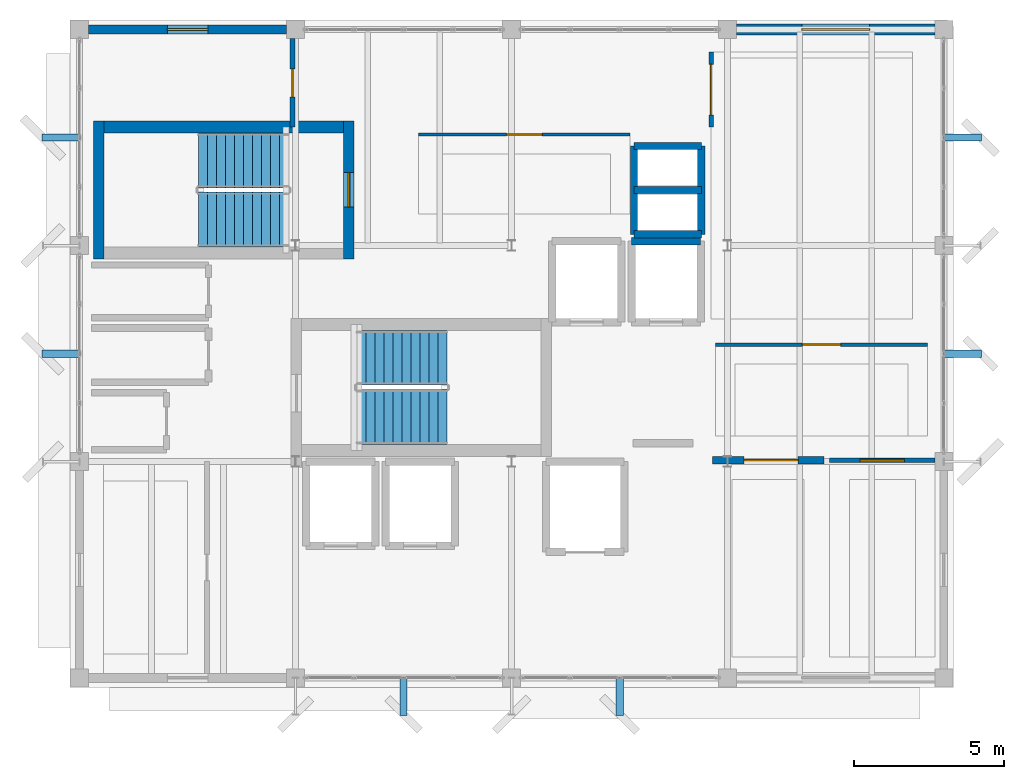
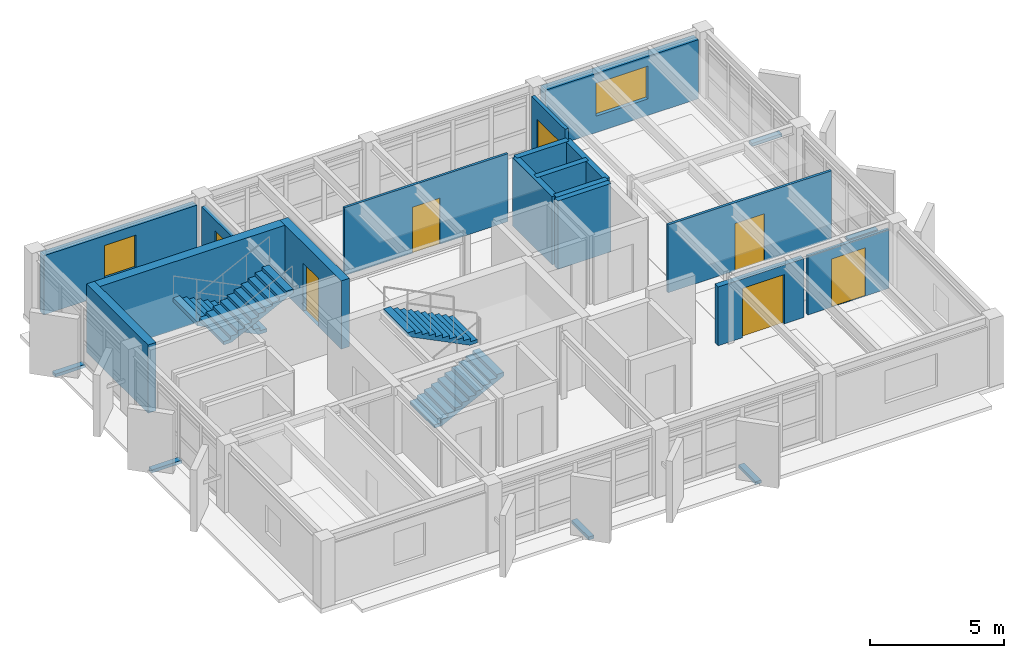
# One storey, part 12 of 15: 17 walls, 7 doors, 6 discrete accessories, 4 stair flights, 2 windows, 9 openings, 2 elements without a shape of their own.
"""IFC4 building model written with IfcOpenShell, lengths in metres."""

from ifc_helpers import new_model, si_unit, direction, frame, frame_2d, origin, origin_2d, place, context, subcontext, project, spatial, polyline, rectangle, outline, extrude, material, layer, layer_set, type_object, element, fill, aggregate, save


model = new_model("IFC4")

# Units and contexts
model_context = context("Model", 3, precision=1e-05, world=origin(), true_north=direction((0.0, 1.0)))
body_context = subcontext(model_context, "Body", "Model", "MODEL_VIEW")
ifc_project = project(units=[si_unit("LENGTHUNIT", "METRE"), si_unit("AREAUNIT", "SQUARE_METRE"), si_unit("VOLUMEUNIT", "CUBIC_METRE"), si_unit("PLANEANGLEUNIT", "RADIAN"), si_unit("MASSUNIT", "GRAM", prefix="KILO")], contexts=[model_context])

# Site, building, storey
site_placement = place(None, origin())
site = spatial("IfcSite", under=ifc_project, at=site_placement, CompositionType="ELEMENT")
building_placement = place(site_placement, origin())
building = spatial("IfcBuilding", under=site, at=building_placement, Name="Kandorven Conservatory and Botanical Research Centre", CompositionType="ELEMENT")
storey_placement = place(building_placement, frame((0.0, 0.0, 56.10009765625)))
storey = spatial("IfcBuildingStorey", under=building, at=storey_placement, Name="L14", CompositionType="ELEMENT", Elevation=56.10009765625)

# Wall
ifc_material_1 = material(Name="Concrete C40/50 (M50)", Category="concrete")
ifc_layer_1 = layer(ifc_material_1, 0.39990234375)
ifc_layer_set_1 = layer_set([ifc_layer_1], Name="Concrete C40/50 (M50)")
wall_type_1 = type_object("IfcWallType", Name="Wall_CW-RC-1", PredefinedType="SHEAR", material=ifc_layer_set_1)
wall_1_placement = place(storey_placement, frame((14.800048828125, 24.35498046875, 0.0), z_axis=(0.0, 0.0, 1.0), x_axis=(-1.0, 0.0, 0.0)))
element("IfcWall", 1, at=wall_1_placement, inside=storey, type_object=wall_type_1, Name="Core stair shear wall CW-RC-1 ST-T2 L14 side A", PredefinedType="SHEAR", context=body_context, shape_type="SweptSolid", body=[
    extrude(rectangle(XDim=7.97998046875, YDim=0.39990234375, at=frame_2d((3.989990234375, 0.0))), origin(), (0.0, 0.0, 1.0), 3.114990234375),
])

# Wall, opening, door
ifc_material_2 = material(Name="Concrete C40/50 (M50)", Category="concrete")
ifc_layer_2 = layer(ifc_material_2, 0.35009765625)
ifc_layer_set_2 = layer_set([ifc_layer_2], Name="Concrete C40/50 (M50)")
wall_type_2 = type_object("IfcWallType", Name="Wall_CW-RC-2", PredefinedType="SHEAR", material=ifc_layer_set_2)
wall_2_placement = place(storey_placement, frame((14.97509765625, 24.550048828125, 0.0), z_axis=(0.0, 0.0, 1.0), x_axis=(0.0, -1.0, 0.0)))
wall_2 = element("IfcWall", 2, at=wall_2_placement, inside=storey, type_object=wall_type_2, Name="Core stair shear wall CW-RC-2 ST-T2 L14 entry", PredefinedType="SHEAR", context=body_context, shape_type="SweptSolid", body=[
    extrude(rectangle(XDim=4.590087890625, YDim=0.35009765625, at=frame_2d((2.294921875, 0.0))), origin(), (0.0, 0.0, 1.0), 3.114990234375),
])
opening_1_placement = place(wall_2_placement, frame((1.719970703125, 0.0, 0.0)))
opening_1 = element("IfcOpeningElement", 3, at=opening_1_placement, cuts=wall_2, Name="Opening FD-2", PredefinedType="OPENING", context=body_context, shape_type="SweptSolid", body=[
    extrude(rectangle(XDim=1.14990234375, YDim=2.199951171875, at=frame_2d((0.574951171875, 1.10009765625))), frame((0.0, 0.18505859375, 0.0), z_axis=(0.0, -1.0, 0.0), x_axis=(1.0, 0.0, 0.0)), (0.0, 0.0, 1.0), 0.3701171875),
])
ifc_material_3 = material(Name="Galvanised hollow steel fire door assembly", Category="steel")
door_type_1 = type_object("IfcDoorType", Name="Door_FD-2", OperationType="NOTDEFINED", PredefinedType="DOOR", material=ifc_material_3)
door_1_placement = place(opening_1_placement, origin())
door_1 = element("IfcDoor", 4, at=door_1_placement, inside=storey, type_object=door_type_1, Name="Exit stair fire door FD-2 ST-T2 L14", OperationType="SINGLE_SWING_LEFT", OverallHeight=2.199951171875, OverallWidth=1.14990234375, PredefinedType="DOOR", context=body_context, shape_type="SweptSolid", body=[
    extrude(rectangle(XDim=1.14990234375, YDim=2.199951171875, at=frame_2d((0.574951171875, 1.10009765625))), frame((0.0, 0.02490234375, 0.0), z_axis=(0.0, -1.0, 0.0), x_axis=(1.0, 0.0, 0.0)), (0.0, 0.0, 1.0), 0.050048828125),
])
fill(opening_1, door_1)

# Walls
wall_3_placement = place(storey_placement, frame((6.64501953125, 24.550048828125, 0.0), z_axis=(0.0, 0.0, 1.0), x_axis=(0.0, -1.0, 0.0)))
element("IfcWall", 5, at=wall_3_placement, inside=storey, type_object=wall_type_2, Name="Core stair shear wall CW-RC-2 ST-T2 L14 far", PredefinedType="SHEAR", context=body_context, shape_type="SweptSolid", body=[
    extrude(rectangle(XDim=4.590087890625, YDim=0.35009765625, at=frame_2d((2.294921875, 0.0))), origin(), (0.0, 0.0, 1.0), 3.114990234375),
])
wall_4_placement = place(storey_placement, frame((24.39990234375, 20.550048828125, 0.0), z_axis=(0.0, 0.0, 1.0), x_axis=(1.0, 0.0, 0.0)))
element("IfcWall", 6, at=wall_4_placement, inside=storey, type_object=wall_type_2, Name="Lift shaft wall FFL-2 L14 N", PredefinedType="SHEAR", context=body_context, shape_type="SweptSolid", body=[
    extrude(rectangle(XDim=2.300048828125, YDim=0.25, at=frame_2d((1.14990234375, 0.0))), origin(), (0.0, 0.0, 1.0), 3.114990234375),
])
for number, where, z_axis, x_axis, name in (
    (7, (24.47998046875, 20.780029296875, 0.0), (0.0, 0.0, 1.0), (1.0, 0.0, 0.0), "Core MEP riser shaft wall CW-RC-2 L14 S"),
    (8, (24.47998046875, 22.25, 0.0), (0.0, 0.0, 1.0), (1.0, 0.0, 0.0), "Core MEP riser shaft wall CW-RC-2 L14 M"),
    (9, (24.47998046875, 23.719970703125, 0.0), (0.0, 0.0, 1.0), (1.0, 0.0, 0.0), "Core MEP riser shaft wall CW-RC-2 L14 N"),
):
    element("IfcWall", number, at=place(storey_placement, frame(where, z_axis=z_axis, x_axis=x_axis)), inside=storey, type_object=wall_type_2, Name=name, PredefinedType="SHEAR", context=body_context, shape_type="SweptSolid", body=[
        extrude(rectangle(XDim=2.239990234375, YDim=0.239990234375, at=frame_2d((1.1201171875, 0.0))), origin(), (0.0, 0.0, 1.0), 3.114990234375),
    ])
for number, where, z_axis, x_axis, name in (
    (10, (24.47998046875, 20.780029296875, 0.0), (0.0, 0.0, 1.0), (0.0, 1.0, 0.0), "Core MEP riser shaft wall CW-RC-2 L14 W"),
    (11, (26.719970703125, 20.780029296875, 0.0), (0.0, 0.0, 1.0), (0.0, 1.0, 0.0), "Core MEP riser shaft wall CW-RC-2 L14 E"),
):
    element("IfcWall", number, at=place(storey_placement, frame(where, z_axis=z_axis, x_axis=x_axis)), inside=storey, type_object=wall_type_2, Name=name, PredefinedType="SHEAR", context=body_context, shape_type="SweptSolid", body=[
        extrude(rectangle(XDim=2.93994140625, YDim=0.239990234375, at=frame_2d((1.469970703125, 0.0))), origin(), (0.0, 0.0, 1.0), 3.114990234375),
    ])

# Wall, opening, window
ifc_material_4 = material(Name="Concrete C40/50 (M50)", Category="concrete")
ifc_layer_3 = layer(ifc_material_4, 0.360107421875)
ifc_layer_set_3 = layer_set([ifc_layer_3], Name="Concrete C40/50 (M50)")
wall_type_3 = type_object("IfcWallType", Name="Wall_EW-01", PredefinedType="STANDARD", material=ifc_layer_set_3)
wall_5_placement = place(storey_placement, frame((27.89990234375, 27.60009765625, 0.0), z_axis=(0.0, 0.0, 1.0), x_axis=(1.0, 0.0, 0.0)))
wall_5 = element("IfcWall", 12, at=wall_5_placement, inside=storey, type_object=wall_type_3, Name="Tower concrete facade wall EW-01 N L14", PredefinedType="STANDARD", context=body_context, shape_type="SweptSolid", body=[
    extrude(rectangle(XDim=6.60009765625, YDim=0.360107421875, at=frame_2d((3.300048828125, 0.0))), origin(), (0.0, 0.0, 1.0), 2.69482421875),
])
opening_2_placement = place(wall_5_placement, frame((2.175048828125, 0.0, 0.75)))
opening_2 = element("IfcOpeningElement", 13, at=opening_2_placement, cuts=wall_5, Name="Opening W-43", PredefinedType="OPENING", context=body_context, shape_type="SweptSolid", body=[
    extrude(rectangle(XDim=2.25, YDim=1.5, at=frame_2d((1.125, 0.75))), frame((0.0, 0.18994140625, 0.0), z_axis=(0.0, -1.0, 0.0), x_axis=(1.0, 0.0, 0.0)), (0.0, 0.0, 1.0), 0.380126953125),
])
ifc_material_5 = material(Name="Double-glazed solar-control low-E glass", Category="glass")
window_type_1 = type_object("IfcWindowType", Name="Win_W-43", PartitioningType="DOUBLE_PANEL_VERTICAL", PredefinedType="WINDOW", material=ifc_material_5)
window_1_placement = place(opening_2_placement, origin())
window_1 = element("IfcWindow", 14, at=window_1_placement, inside=storey, type_object=window_type_1, Name="Tower recessed solar window W-43", OverallHeight=1.5, OverallWidth=2.25, PartitioningType="SINGLE_PANEL", PredefinedType="WINDOW", context=body_context, shape_type="SweptSolid", body=[
    extrude(rectangle(XDim=2.25, YDim=1.5, at=frame_2d((1.125, 0.75))), frame((0.0, 0.030029296875, 0.0), z_axis=(0.0, -1.0, 0.0), x_axis=(1.0, 0.0, 0.0)), (0.0, 0.0, 1.0), 0.06005859375),
])
fill(opening_2, window_1)

ifc_material_6 = material(Name="Concrete C32/40 (M40)", Category="concrete")
ifc_layer_4 = layer(ifc_material_6, 0.300048828125)
ifc_layer_set_4 = layer_set([ifc_layer_4], Name="Concrete C32/40 (M40)")
wall_type_4 = type_object("IfcWallType", Name="Wall_EW-04", PredefinedType="STANDARD", material=ifc_layer_set_4)
wall_6_placement = place(storey_placement, frame((6.300048828125, 27.60009765625, 0.0), z_axis=(0.0, 0.0, 1.0), x_axis=(1.0, 0.0, 0.0)))
wall_6 = element("IfcWall", 15, at=wall_6_placement, inside=storey, type_object=wall_type_4, Name="Tower concrete facade wall EW-04 N L14", PredefinedType="STANDARD", context=body_context, shape_type="SweptSolid", body=[
    extrude(rectangle(XDim=6.599853515625, YDim=0.300048828125, at=frame_2d((3.2998046875, 0.0))), origin(), (0.0, 0.0, 1.0), 2.69482421875),
])
opening_3_placement = place(wall_6_placement, frame((2.625, 0.0, 0.75)))
opening_3 = element("IfcOpeningElement", 16, at=opening_3_placement, cuts=wall_6, Name="Opening W-40", PredefinedType="OPENING", context=body_context, shape_type="SweptSolid", body=[
    extrude(rectangle(XDim=1.35009765625, YDim=1.5, at=frame_2d((0.675048828125, 0.75))), frame((0.0, 0.159912109375, 0.0), z_axis=(0.0, -1.0, 0.0), x_axis=(1.0, 0.0, 0.0)), (0.0, 0.0, 1.0), 0.320068359375),
])
ifc_material_7 = material(Name="Double-glazed solar-control low-E glass", Category="glass")
window_type_2 = type_object("IfcWindowType", Name="Win_W-40", PartitioningType="DOUBLE_PANEL_VERTICAL", PredefinedType="WINDOW", material=ifc_material_7)
window_2_placement = place(opening_3_placement, origin())
window_2 = element("IfcWindow", 17, at=window_2_placement, inside=storey, type_object=window_type_2, Name="Tower recessed solar window W-40", OverallHeight=1.5, OverallWidth=1.35009765625, PartitioningType="SINGLE_PANEL", PredefinedType="WINDOW", context=body_context, shape_type="SweptSolid", body=[
    extrude(rectangle(XDim=1.35009765625, YDim=1.5, at=frame_2d((0.675048828125, 0.75))), frame((0.0, 0.030029296875, 0.0), z_axis=(0.0, -1.0, 0.0), x_axis=(1.0, 0.0, 0.0)), (0.0, 0.0, 1.0), 0.06005859375),
])
fill(opening_3, window_2)

# Wall, opening, door
ifc_material_8 = material(Name="Fire-rated acoustic gypsum board partition", Category="gypsum")
ifc_layer_5 = layer(ifc_material_8, 0.10595703125)
ifc_layer_set_5 = layer_set([ifc_layer_5], Name="Fire-rated acoustic gypsum board partition")
wall_type_5 = type_object("IfcWallType", Name="Wall_IW-11", PredefinedType="PARTITIONING", material=ifc_layer_set_5)
wall_7_placement = place(storey_placement, frame((17.300048828125, 24.10009765625, 0.0), z_axis=(0.0, 0.0, 1.0), x_axis=(1.0, 0.0, 0.0)))
wall_7 = element("IfcWall", 18, at=wall_7_placement, inside=storey, type_object=wall_type_5, Name="Interior partition wall IW-11 (Dryland Flora Research Laboratory L14)", PredefinedType="PARTITIONING", context=body_context, shape_type="SweptSolid", body=[
    extrude(rectangle(XDim=7.050048828125, YDim=0.10595703125, at=frame_2d((3.52490234375, 0.0))), origin(), (0.0, 0.0, 1.0), 3.094970703125),
])
opening_4_placement = place(wall_7_placement, frame((2.93505859375, 0.0, 0.0)))
opening_4 = element("IfcOpeningElement", 19, at=opening_4_placement, cuts=wall_7, Name="Opening D-14", PredefinedType="OPENING", context=body_context, shape_type="SweptSolid", body=[
    extrude(rectangle(XDim=1.179931640625, YDim=2.10009765625, at=frame_2d((0.58984375, 1.050048828125))), frame((0.0, 0.06298828125, 0.0), z_axis=(0.0, -1.0, 0.0), x_axis=(1.0, 0.0, 0.0)), (0.0, 0.0, 1.0), 0.1259765625),
])
ifc_material_9 = material(Name="Solid core acoustic teak-veneered timber leaf", Category="wood")
door_type_2 = type_object("IfcDoorType", Name="Door_D-14", OperationType="NOTDEFINED", PredefinedType="DOOR", material=ifc_material_9)
door_2_placement = place(opening_4_placement, origin())
door_2 = element("IfcDoor", 20, at=door_2_placement, inside=storey, type_object=door_type_2, Name="Interior door D-14 to Dryland Flora Research Laboratory L14", OperationType="SINGLE_SWING_RIGHT", OverallHeight=2.10009765625, OverallWidth=1.179931640625, PredefinedType="DOOR", context=body_context, shape_type="SweptSolid", body=[
    extrude(rectangle(XDim=1.179931640625, YDim=2.10009765625, at=frame_2d((0.58984375, 1.050048828125))), frame((0.0, 0.02490234375, 0.0), z_axis=(0.0, -1.0, 0.0), x_axis=(1.0, 0.0, 0.0)), (0.0, 0.0, 1.0), 0.050048828125),
])
fill(opening_4, door_2)

ifc_material_10 = material(Name="Fire-rated acoustic gypsum board partition", Category="gypsum")
ifc_layer_6 = layer(ifc_material_10, 0.114013671875)
ifc_layer_set_6 = layer_set([ifc_layer_6], Name="Fire-rated acoustic gypsum board partition")
wall_type_6 = type_object("IfcWallType", Name="Wall_IW-12", PredefinedType="PARTITIONING", material=ifc_layer_set_6)
wall_8_placement = place(storey_placement, frame((27.199951171875, 17.10009765625, 0.0), z_axis=(0.0, 0.0, 1.0), x_axis=(1.0, 0.0, 0.0)))
wall_8 = element("IfcWall", 21, at=wall_8_placement, inside=storey, type_object=wall_type_6, Name="Interior partition wall IW-12 (Seed Ecology Research Studio L14)", PredefinedType="PARTITIONING", context=body_context, shape_type="SweptSolid", body=[
    extrude(rectangle(XDim=7.050048828125, YDim=0.114013671875, at=frame_2d((3.52490234375, 0.0))), origin(), (0.0, 0.0, 1.0), 3.094970703125),
])
opening_5_placement = place(wall_8_placement, frame((2.885009765625, 0.0, 0.0)))
opening_5 = element("IfcOpeningElement", 22, at=opening_5_placement, cuts=wall_8, Name="Opening D-15", PredefinedType="OPENING", context=body_context, shape_type="SweptSolid", body=[
    extrude(rectangle(XDim=1.280029296875, YDim=2.14990234375, at=frame_2d((0.64013671875, 1.074951171875))), frame((0.0, 0.06689453125, 0.0), z_axis=(0.0, -1.0, 0.0), x_axis=(1.0, 0.0, 0.0)), (0.0, 0.0, 1.0), 0.134033203125),
])
ifc_material_11 = material(Name="Solid core acoustic teak-veneered timber leaf", Category="wood")
door_type_3 = type_object("IfcDoorType", Name="Door_D-15", OperationType="NOTDEFINED", PredefinedType="DOOR", material=ifc_material_11)
door_3_placement = place(opening_5_placement, frame((1.280029296875, 0.0, 0.0), z_axis=(0.0, 0.0, 1.0), x_axis=(-1.0, 0.0, 0.0)))
door_3 = element("IfcDoor", 23, at=door_3_placement, inside=storey, type_object=door_type_3, Name="Interior door D-15 to Seed Ecology Research Studio L14", OperationType="SINGLE_SWING_LEFT", OverallHeight=2.14990234375, OverallWidth=1.280029296875, PredefinedType="DOOR", context=body_context, shape_type="SweptSolid", body=[
    extrude(rectangle(XDim=1.280029296875, YDim=2.14990234375, at=frame_2d((0.64013671875, 1.074951171875))), frame((0.0, 0.02490234375, 0.0), z_axis=(0.0, -1.0, 0.0), x_axis=(1.0, 0.0, 0.0)), (0.0, 0.0, 1.0), 0.050048828125),
])
fill(opening_5, door_3)

ifc_material_12 = material(Name="Fire-rated acoustic gypsum board partition", Category="gypsum")
ifc_layer_7 = layer(ifc_material_12, 0.135986328125)
ifc_layer_set_7 = layer_set([ifc_layer_7], Name="Fire-rated acoustic gypsum board partition")
wall_type_7 = type_object("IfcWallType", Name="Wall_IW-14", PredefinedType="PARTITIONING", material=ifc_layer_set_7)
wall_9_placement = place(storey_placement, frame((31.0, 13.25, 0.0), z_axis=(0.0, 0.0, 1.0), x_axis=(1.0, 0.0, 0.0)))
wall_9 = element("IfcWall", 24, at=wall_9_placement, inside=storey, type_object=wall_type_7, Name="Interior partition wall IW-14 (Arid Zone Ecology Research Laboratory L14)", PredefinedType="PARTITIONING", context=body_context, shape_type="SweptSolid", body=[
    extrude(rectangle(XDim=3.5, YDim=0.135986328125, at=frame_2d((1.75, 0.0))), origin(), (0.0, 0.0, 1.0), 2.677978515625),
])
opening_6_placement = place(wall_9_placement, frame((1.010009765625, 0.0, 0.0)))
opening_6 = element("IfcOpeningElement", 25, at=opening_6_placement, cuts=wall_9, Name="Opening D-17", PredefinedType="OPENING", context=body_context, shape_type="SweptSolid", body=[
    extrude(rectangle(XDim=1.47998046875, YDim=2.199951171875, at=frame_2d((0.739990234375, 1.10009765625))), frame((0.0, 0.077880859375, 0.0), z_axis=(0.0, -1.0, 0.0), x_axis=(1.0, 0.0, 0.0)), (0.0, 0.0, 1.0), 0.156005859375),
])
ifc_material_13 = material(Name="Solid core acoustic teak-veneered timber leaf", Category="wood")
door_type_4 = type_object("IfcDoorType", Name="Door_D-17", OperationType="NOTDEFINED", PredefinedType="DOOR", material=ifc_material_13)
door_4_placement = place(opening_6_placement, origin())
door_4 = element("IfcDoor", 26, at=door_4_placement, inside=storey, type_object=door_type_4, Name="Interior door D-17 to Arid Zone Ecology Research Laboratory L14", OperationType="SINGLE_SWING_LEFT", OverallHeight=2.199951171875, OverallWidth=1.47998046875, PredefinedType="DOOR", context=body_context, shape_type="SweptSolid", body=[
    extrude(rectangle(XDim=1.47998046875, YDim=2.199951171875, at=frame_2d((0.739990234375, 1.10009765625))), frame((0.0, 0.02490234375, 0.0), z_axis=(0.0, -1.0, 0.0), x_axis=(1.0, 0.0, 0.0)), (0.0, 0.0, 1.0), 0.050048828125),
])
fill(opening_6, door_4)

ifc_material_14 = material(Name="Fire-rated acoustic gypsum board partition", Category="gypsum")
ifc_layer_8 = layer(ifc_material_14, 0.14599609375)
ifc_layer_set_8 = layer_set([ifc_layer_8], Name="Fire-rated acoustic gypsum board partition")
wall_type_8 = type_object("IfcWallType", Name="Wall_IW-15", PredefinedType="PARTITIONING", material=ifc_layer_set_8)
wall_10_placement = place(storey_placement, frame((27.050048828125, 24.35009765625, 0.0), z_axis=(0.0, 0.0, 1.0), x_axis=(0.0, 1.0, 0.0)))
wall_10 = element("IfcWall", 27, at=wall_10_placement, inside=storey, type_object=wall_type_8, Name="Interior partition wall IW-15 (Botanical GIS and Remote Sensing Laboratory L14)", PredefinedType="PARTITIONING", context=body_context, shape_type="SweptSolid", body=[
    extrude(rectangle(XDim=2.5, YDim=0.14599609375, at=frame_2d((1.25, 0.0))), origin(), (0.0, 0.0, 1.0), 3.094970703125),
])
opening_7_placement = place(wall_10_placement, frame((0.409912109375, 0.0, 0.0)))
opening_7 = element("IfcOpeningElement", 28, at=opening_7_placement, cuts=wall_10, Name="Opening D-18", PredefinedType="OPENING", context=body_context, shape_type="SweptSolid", body=[
    extrude(rectangle(XDim=1.679931640625, YDim=2.300048828125, at=frame_2d((0.83984375, 1.14990234375))), frame((0.0, 0.0830078125, 0.0), z_axis=(0.0, -1.0, 0.0), x_axis=(1.0, 0.0, 0.0)), (0.0, 0.0, 1.0), 0.166015625),
])
ifc_material_15 = material(Name="Solid core acoustic teak-veneered timber leaf", Category="wood")
door_type_5 = type_object("IfcDoorType", Name="Door_D-18", OperationType="NOTDEFINED", PredefinedType="DOOR", material=ifc_material_15)
door_5_placement = place(opening_7_placement, frame((1.679931640625, 0.0, 0.0), z_axis=(0.0, 0.0, 1.0), x_axis=(-1.0, 0.0, 0.0)))
door_5 = element("IfcDoor", 29, at=door_5_placement, inside=storey, type_object=door_type_5, Name="Interior door D-18 to Botanical GIS and Remote Sensing Laboratory L14", OperationType="DOUBLE_DOOR_SINGLE_SWING", OverallHeight=2.300048828125, OverallWidth=1.679931640625, PredefinedType="DOOR", context=body_context, shape_type="SweptSolid", body=[
    extrude(rectangle(XDim=1.679931640625, YDim=2.300048828125, at=frame_2d((0.83984375, 1.14990234375))), frame((0.0, 0.02490234375, 0.0), z_axis=(0.0, -1.0, 0.0), x_axis=(1.0, 0.0, 0.0)), (0.0, 0.0, 1.0), 0.050048828125),
])
fill(opening_7, door_5)

ifc_material_16 = material(Name="Autoclaved aerated concrete blockwork masonry", Category="masonry")
ifc_layer_9 = layer(ifc_material_16, 0.172119140625)
ifc_layer_set_9 = layer_set([ifc_layer_9], Name="Autoclaved aerated concrete blockwork masonry")
wall_type_9 = type_object("IfcWallType", Name="Wall_IW-17", PredefinedType="PARTITIONING", material=ifc_layer_set_9)
wall_11_placement = place(storey_placement, frame((13.10009765625, 24.35009765625, 0.0), z_axis=(0.0, 0.0, 1.0), x_axis=(0.0, 1.0, 0.0)))
wall_11 = element("IfcWall", 30, at=wall_11_placement, inside=storey, type_object=wall_type_9, Name="Interior partition wall IW-17 (Botanical Floristics Studio L14)", PredefinedType="PARTITIONING", context=body_context, shape_type="SweptSolid", body=[
    extrude(rectangle(XDim=2.949951171875, YDim=0.172119140625, at=frame_2d((1.47509765625, 0.0))), origin(), (0.0, 0.0, 1.0), 2.677978515625),
])
opening_8_placement = place(wall_11_placement, frame((1.0048828125, 0.0, 0.0)))
opening_8 = element("IfcOpeningElement", 31, at=opening_8_placement, cuts=wall_11, Name="Opening D-20", PredefinedType="OPENING", context=body_context, shape_type="SweptSolid", body=[
    extrude(rectangle(XDim=0.93994140625, YDim=2.179931640625, at=frame_2d((0.469970703125, 1.08984375))), frame((0.0, 0.095947265625, 0.0), z_axis=(0.0, -1.0, 0.0), x_axis=(1.0, 0.0, 0.0)), (0.0, 0.0, 1.0), 0.192138671875),
])
ifc_material_17 = material(Name="Solid core acoustic teak-veneered timber leaf", Category="wood")
door_type_6 = type_object("IfcDoorType", Name="Door_D-20", OperationType="NOTDEFINED", PredefinedType="DOOR", material=ifc_material_17)
door_6_placement = place(opening_8_placement, origin())
door_6 = element("IfcDoor", 32, at=door_6_placement, inside=storey, type_object=door_type_6, Name="Interior door D-20 to Botanical Floristics Studio L14", OperationType="SINGLE_SWING_RIGHT", OverallHeight=2.179931640625, OverallWidth=0.93994140625, PredefinedType="DOOR", context=body_context, shape_type="SweptSolid", body=[
    extrude(rectangle(XDim=0.93994140625, YDim=2.179931640625, at=frame_2d((0.469970703125, 1.08984375))), frame((0.0, 0.02490234375, 0.0), z_axis=(0.0, -1.0, 0.0), x_axis=(1.0, 0.0, 0.0)), (0.0, 0.0, 1.0), 0.050048828125),
])
fill(opening_8, door_6)

ifc_material_18 = material(Name="Concrete C32/40 (M40)", Category="concrete")
ifc_layer_10 = layer(ifc_material_18, 0.25)
ifc_layer_set_10 = layer_set([ifc_layer_10], Name="Concrete C32/40 (M40)")
wall_type_10 = type_object("IfcWallType", Name="Wall_IW-FR-1", PredefinedType="SOLIDWALL", material=ifc_layer_set_10)
wall_12_placement = place(storey_placement, frame((27.10009765625, 13.25, 0.0), z_axis=(0.0, 0.0, 1.0), x_axis=(1.0, 0.0, 0.0)))
wall_12 = element("IfcWall", 33, at=wall_12_placement, inside=storey, type_object=wall_type_10, Name="Interior fire partition wall IW-FR-1 (Regional Flora Herbarium Archive L14)", PredefinedType="SOLIDWALL", context=body_context, shape_type="SweptSolid", body=[
    extrude(rectangle(XDim=3.699951171875, YDim=0.25, at=frame_2d((1.85009765625, 0.0))), origin(), (0.0, 0.0, 1.0), 2.677978515625),
])
opening_9_placement = place(wall_12_placement, frame((1.050048828125, 0.0, 0.0)))
opening_9 = element("IfcOpeningElement", 34, at=opening_9_placement, cuts=wall_12, Name="Opening FD-4", PredefinedType="OPENING", context=body_context, shape_type="SweptSolid", body=[
    extrude(rectangle(XDim=1.800048828125, YDim=2.25, at=frame_2d((0.89990234375, 1.125))), frame((0.0, 0.135009765625, 0.0), z_axis=(0.0, -1.0, 0.0), x_axis=(1.0, 0.0, 0.0)), (0.0, 0.0, 1.0), 0.27001953125),
])
ifc_material_19 = material(Name="Galvanised hollow steel fire door assembly", Category="steel")
door_type_7 = type_object("IfcDoorType", Name="Door_FD-4", OperationType="NOTDEFINED", PredefinedType="DOOR", material=ifc_material_19)
door_7_placement = place(opening_9_placement, origin())
door_7 = element("IfcDoor", 35, at=door_7_placement, inside=storey, type_object=door_type_7, Name="Interior door FD-4 to Regional Flora Herbarium Archive L14", OperationType="DOUBLE_DOOR_SINGLE_SWING", OverallHeight=2.25, OverallWidth=1.800048828125, PredefinedType="DOOR", context=body_context, shape_type="SweptSolid", body=[
    extrude(rectangle(XDim=1.800048828125, YDim=2.25, at=frame_2d((0.89990234375, 1.125))), frame((0.0, 0.02490234375, 0.0), z_axis=(0.0, -1.0, 0.0), x_axis=(1.0, 0.0, 0.0)), (0.0, 0.0, 1.0), 0.050048828125),
])
fill(opening_9, door_7)

# Stair, stair flights
ifc_material_20 = material(Name="Concrete C32/40 (M40)", Category="concrete")
stair_type = type_object("IfcStairType", Name="Stair_1820", PredefinedType="HALF_TURN_STAIR", material=ifc_material_20)
stair_1_placement = place(storey_placement, origin())
stair_1 = element("IfcStair", 36, at=stair_1_placement, inside=storey, type_object=stair_type, Name="L14 Tower Fire Stair ST-T1", PredefinedType="HALF_TURN_STAIR")
ifc_material_21 = material(Name="Concrete C32/40 (M40)", Category="concrete")
ifc_layer_11 = layer(ifc_material_21, 0.14990234375)
ifc_layer_set_11 = layer_set([ifc_layer_11], Name="Concrete C32/40 (M40)")
stair_flight_type = type_object("IfcStairFlightType", Name="Flight_1820", PredefinedType="STRAIGHT", material=ifc_layer_set_11)
stair_flight_1_placement = place(storey_placement, frame((15.239990234375, 14.68994140625, 0.0), z_axis=(0.0, 0.0, 1.0), x_axis=(1.0, 0.0, 0.0)))
stair_flight_1 = element("IfcStairFlight", 37, at=stair_flight_1_placement, type_object=stair_flight_type, Name="ST-T1 flight 1", NumberOfRisers=11, NumberOfTreads=10, PredefinedType="STRAIGHT", RiserHeight=0.15, TreadLength=0.3, context=body_context, shape_type="SweptSolid", body=[
    extrude(outline(polyline([(0.0, 0.0), (0.0, 0.14990234375), (0.300048828125, 0.14990234375), (0.300048828125, 0.300048828125), (0.60009765625, 0.300048828125), (0.60009765625, 0.449951171875), (0.89990234375, 0.449951171875), (0.89990234375, 0.60009765625), (1.199951171875, 0.60009765625), (1.199951171875, 0.75), (1.5, 0.75), (1.5, 0.89990234375), (1.800048828125, 0.89990234375), (1.800048828125, 1.050048828125), (2.10009765625, 1.050048828125), (2.10009765625, 1.199951171875), (2.39990234375, 1.199951171875), (2.39990234375, 1.35009765625), (2.699951171875, 1.35009765625), (2.699951171875, 1.5), (3.0, 1.5), (3.0, 1.64990234375), (3.0, 1.33251953125), (0.335205078125, 0.0), (0.0, 0.0)])), frame((0.0, 0.91015625, 0.0), z_axis=(0.0, -1.0, 0.0), x_axis=(1.0, 0.0, 0.0)), (0.0, 0.0, 1.0), 1.820068359375),
])
stair_flight_2_placement = place(storey_placement, frame((18.239501953125, 16.659912109375, 1.64990234375), z_axis=(0.0, 0.0, 1.0), x_axis=(-1.0, 0.0, 0.0)))
stair_flight_2 = element("IfcStairFlight", 38, at=stair_flight_2_placement, type_object=stair_flight_type, Name="ST-T1 flight 2", NumberOfRisers=11, NumberOfTreads=10, PredefinedType="STRAIGHT", RiserHeight=0.15, TreadLength=0.3, context=body_context, shape_type="SweptSolid", body=[
    extrude(outline(polyline([(0.0, 0.0), (0.0, 0.14990234375), (0.300048828125, 0.14990234375), (0.300048828125, 0.300048828125), (0.60009765625, 0.300048828125), (0.60009765625, 0.449951171875), (0.89990234375, 0.449951171875), (0.89990234375, 0.60009765625), (1.199951171875, 0.60009765625), (1.199951171875, 0.75), (1.5, 0.75), (1.5, 0.89990234375), (1.800048828125, 0.89990234375), (1.800048828125, 1.050048828125), (2.10009765625, 1.050048828125), (2.10009765625, 1.199951171875), (2.39990234375, 1.199951171875), (2.39990234375, 1.35009765625), (2.699951171875, 1.35009765625), (2.699951171875, 1.5), (3.0, 1.5), (3.0, 1.64990234375), (3.0, 1.33251953125), (0.335205078125, 0.0), (0.0, 0.0)])), frame((0.0, 0.91015625, 0.0), z_axis=(0.0, -1.0, 0.0), x_axis=(1.0, 0.0, 0.0)), (0.0, 0.0, 1.0), 1.820068359375),
])
aggregate(stair_1, [stair_flight_1, stair_flight_2])

stair_2_placement = place(storey_placement, origin())
stair_2 = element("IfcStair", 39, at=stair_2_placement, inside=storey, type_object=stair_type, Name="L14 Tower Fire Stair ST-T2", PredefinedType="HALF_TURN_STAIR")
stair_flight_3_placement = place(storey_placement, frame((12.9599609375, 23.239990234375, 0.0), z_axis=(0.0, 0.0, 1.0), x_axis=(-1.0, 0.0, 0.0)))
stair_flight_3 = element("IfcStairFlight", 40, at=stair_flight_3_placement, type_object=stair_flight_type, Name="ST-T2 flight 1", NumberOfRisers=11, NumberOfTreads=10, PredefinedType="STRAIGHT", RiserHeight=0.15, TreadLength=0.3, context=body_context, shape_type="SweptSolid", body=[
    extrude(outline(polyline([(0.0, 0.0), (0.0, 0.14990234375), (0.300048828125, 0.14990234375), (0.300048828125, 0.300048828125), (0.60009765625, 0.300048828125), (0.60009765625, 0.449951171875), (0.89990234375, 0.449951171875), (0.89990234375, 0.60009765625), (1.199951171875, 0.60009765625), (1.199951171875, 0.75), (1.5, 0.75), (1.5, 0.89990234375), (1.800048828125, 0.89990234375), (1.800048828125, 1.050048828125), (2.10009765625, 1.050048828125), (2.10009765625, 1.199951171875), (2.39990234375, 1.199951171875), (2.39990234375, 1.35009765625), (2.699951171875, 1.35009765625), (2.699951171875, 1.5), (3.0, 1.5), (3.0, 1.64990234375), (3.0, 1.33251953125), (0.335205078125, 0.0), (0.0, 0.0)])), frame((0.0, 0.91015625, 0.0), z_axis=(0.0, -1.0, 0.0), x_axis=(1.0, 0.0, 0.0)), (0.0, 0.0, 1.0), 1.820068359375),
])
stair_flight_4_placement = place(storey_placement, frame((9.96044921875, 21.27001953125, 1.64990234375), z_axis=(0.0, 0.0, 1.0), x_axis=(1.0, 0.0, 0.0)))
stair_flight_4 = element("IfcStairFlight", 41, at=stair_flight_4_placement, type_object=stair_flight_type, Name="ST-T2 flight 2", NumberOfRisers=11, NumberOfTreads=10, PredefinedType="STRAIGHT", RiserHeight=0.15, TreadLength=0.3, context=body_context, shape_type="SweptSolid", body=[
    extrude(outline(polyline([(0.0, 0.0), (0.0, 0.14990234375), (0.300048828125, 0.14990234375), (0.300048828125, 0.300048828125), (0.60009765625, 0.300048828125), (0.60009765625, 0.449951171875), (0.89990234375, 0.449951171875), (0.89990234375, 0.60009765625), (1.199951171875, 0.60009765625), (1.199951171875, 0.75), (1.5, 0.75), (1.5, 0.89990234375), (1.800048828125, 0.89990234375), (1.800048828125, 1.050048828125), (2.10009765625, 1.050048828125), (2.10009765625, 1.199951171875), (2.39990234375, 1.199951171875), (2.39990234375, 1.35009765625), (2.699951171875, 1.35009765625), (2.699951171875, 1.5), (3.0, 1.5), (3.0, 1.64990234375), (3.0, 1.33251953125), (0.335205078125, 0.0), (0.0, 0.0)])), frame((0.0, 0.91015625, 0.0), z_axis=(0.0, -1.0, 0.0), x_axis=(1.0, 0.0, 0.0)), (0.0, 0.0, 1.0), 1.820068359375),
])
aggregate(stair_2, [stair_flight_3, stair_flight_4])

# Discrete accessories
ifc_material_22 = material(Name="Steel S355 (IS 2062 E350)", Category="steel")
discrete_accessory_type = type_object("IfcDiscreteAccessoryType", Name="JaliBracket", PredefinedType="BRACKET", material=ifc_material_22)
for number, where, z_axis, x_axis, name in (
    (42, (16.800048828125, 5.389892578125, -0.1298828125), (0.0, 0.0, 1.0), (1.0, 0.0, 0.0), "Stainless steel fin support bracket BRK-01 #122"),
    (43, (24.0, 5.389892578125, -0.1298828125), (0.0, 0.0, 1.0), (1.0, 0.0, 0.0), "Stainless steel fin support bracket BRK-01 #124"),
):
    element("IfcDiscreteAccessory", number, at=place(storey_placement, frame(where, z_axis=z_axis, x_axis=x_axis)), inside=storey, type_object=discrete_accessory_type, Name=name, PredefinedType="BRACKET", context=body_context, shape_type="SweptSolid", body=[
        extrude(rectangle(XDim=0.239990234375, YDim=1.280029296875, at=origin_2d()), origin(), (0.0, 0.0, 1.0), 0.139892578125),
    ])
for number, where, z_axis, x_axis, name in (
    (44, (5.389892578125, 16.800048828125, -0.1298828125), (0.0, 0.0, 1.0), (1.0, 0.0, 0.0), "Stainless steel fin support bracket BRK-01 #126"),
    (45, (5.389892578125, 24.0, -0.1298828125), (0.0, 0.0, 1.0), (1.0, 0.0, 0.0), "Stainless steel fin support bracket BRK-01 #128"),
    (46, (35.409912109375, 16.800048828125, -0.1298828125), (0.0, 0.0, 1.0), (1.0, 0.0, 0.0), "Stainless steel fin support bracket BRK-01 #130"),
    (47, (35.409912109375, 24.0, -0.1298828125), (0.0, 0.0, 1.0), (1.0, 0.0, 0.0), "Stainless steel fin support bracket BRK-01 #132"),
):
    element("IfcDiscreteAccessory", number, at=place(storey_placement, frame(where, z_axis=z_axis, x_axis=x_axis)), inside=storey, type_object=discrete_accessory_type, Name=name, PredefinedType="BRACKET", context=body_context, shape_type="SweptSolid", body=[
        extrude(rectangle(XDim=1.280029296875, YDim=0.239990234375, at=origin_2d()), origin(), (0.0, 0.0, 1.0), 0.139892578125),
    ])

save(model, "model.ifc")
